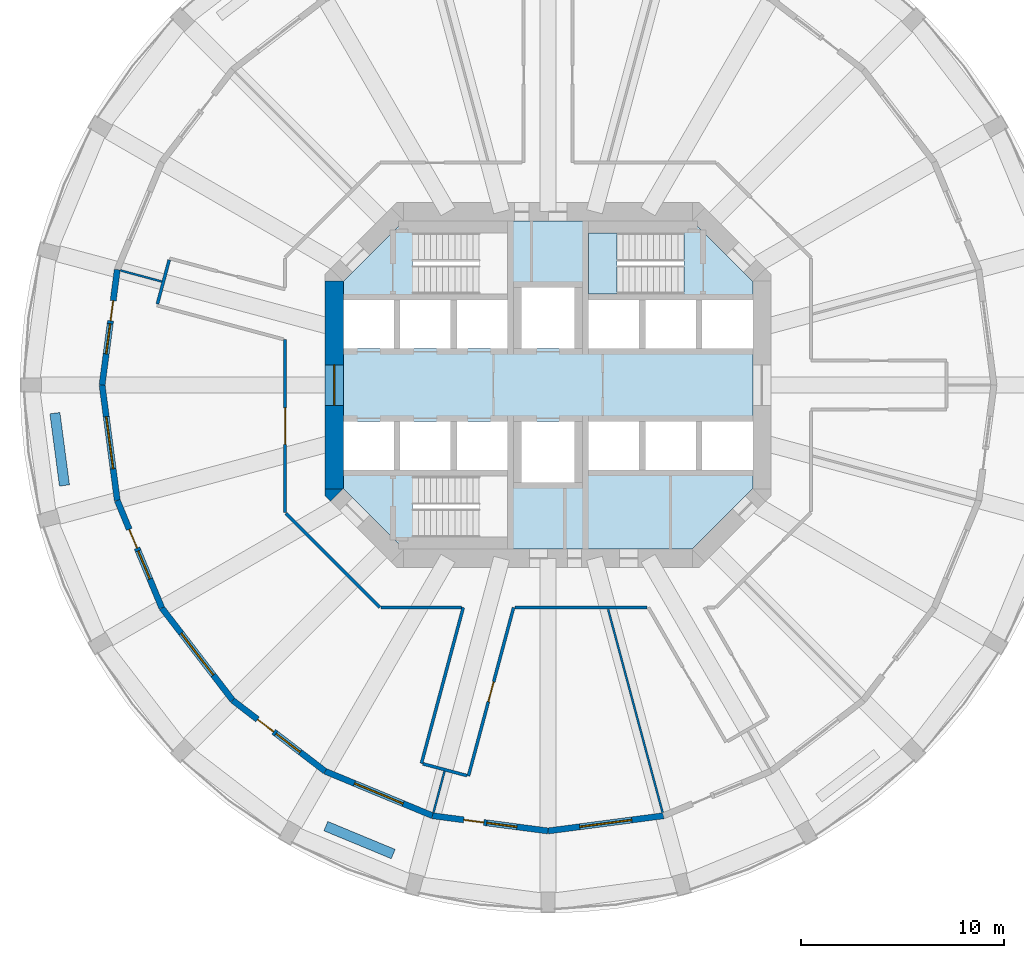
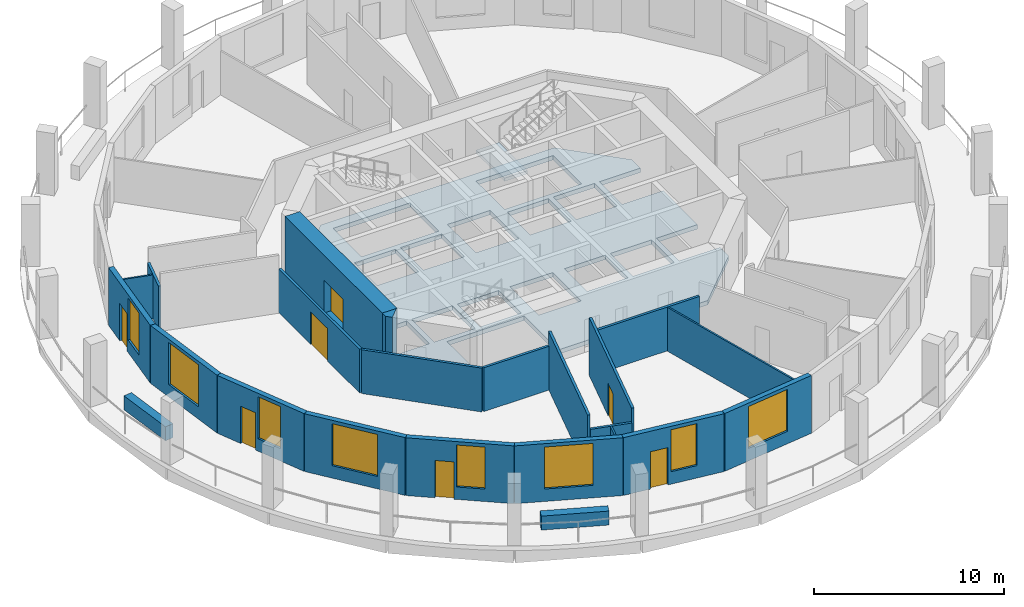
# One storey, part 2 of 8: 23 walls, 8 windows, 7 doors, 2 slabs, 15 openings, 1 element without a shape of its own.
"""IFC4 building model written with IfcOpenShell, lengths in metres."""

from ifc_helpers import new_model, si_unit, direction, frame, frame_2d, origin, place, context, subcontext, project, spatial, polyline, rectangle, outline, extrude, material, layer, layer_set, type_object, element, fill, aggregate, save


model = new_model("IFC4")

# Units and contexts
model_context = context("Model", 3, precision=1e-05, world=origin(), true_north=direction((0.0, 1.0)))
body_context = subcontext(model_context, "Body", "Model", "MODEL_VIEW")
ifc_project = project(units=[si_unit("LENGTHUNIT", "METRE"), si_unit("AREAUNIT", "SQUARE_METRE"), si_unit("VOLUMEUNIT", "CUBIC_METRE"), si_unit("PLANEANGLEUNIT", "RADIAN"), si_unit("MASSUNIT", "GRAM", prefix="KILO")], contexts=[model_context])

# Site, building, storey
site_placement = place(None, origin())
site = spatial("IfcSite", under=ifc_project, at=site_placement, CompositionType="ELEMENT")
building_placement = place(site_placement, origin())
building = spatial("IfcBuilding", under=site, at=building_placement, Name="Torre Triforio", CompositionType="ELEMENT")
storey_placement = place(building_placement, frame((0.0, 0.0, 94.60009765625)))
storey = spatial("IfcBuildingStorey", under=building, at=storey_placement, Name="L20", CompositionType="ELEMENT", Elevation=94.60009765625)

# Slab
ifc_material_1 = material(Name="Concrete C60", Category="concrete")
ifc_layer_1 = layer(ifc_material_1, 0.280029296875)
ifc_layer_set_1 = layer_set([ifc_layer_1], Name="Concrete C60")
slab_type_1 = type_object("IfcSlabType", Name="Core floor slab 280 mm C60 REI 120", PredefinedType="FLOOR", material=ifc_layer_set_1)
slab_1_placement = place(storey_placement, frame((0.0, 0.0, -0.280029296875)))
element("IfcSlab", 1, at=slab_1_placement, inside=storey, type_object=slab_type_1, Name="Core floor slab", PredefinedType="FLOOR", context=body_context, shape_type="SweptSolid", body=[
    extrude(outline(polyline([(10.10009765625, -5.10009765625), (7.10009765625, -8.10009765625), (-7.10009765625, -8.10009765625), (-10.10009765625, -5.10009765625), (-10.10009765625, -4.199951171875), (-7.60009765625, -4.199951171875), (-7.60009765625, -1.800048828125), (-10.10009765625, -1.800048828125), (-10.10009765625, 1.800048828125), (-7.60009765625, 1.800048828125), (-7.60009765625, 4.199951171875), (-10.10009765625, 4.199951171875), (-10.10009765625, 5.10009765625), (-7.10009765625, 8.10009765625), (7.10009765625, 8.10009765625), (10.10009765625, 5.10009765625), (10.10009765625, 4.199951171875), (7.60009765625, 4.199951171875), (7.60009765625, 1.800048828125), (10.10009765625, 1.800048828125), (10.10009765625, -1.800048828125), (7.60009765625, -1.800048828125), (7.60009765625, -4.199951171875), (10.10009765625, -4.199951171875), (10.10009765625, -5.10009765625)]), holes=[polyline([(-2.0, -4.5), (-6.696044921875, -4.5), (-6.696044921875, -7.5), (-2.0, -7.5), (-2.0, -4.5)]), polyline([(-4.800048828125, -1.800048828125), (-7.300048828125, -1.800048828125), (-7.300048828125, -4.199951171875), (-4.800048828125, -4.199951171875), (-4.800048828125, -1.800048828125)]), polyline([(-2.0, -1.800048828125), (-4.5, -1.800048828125), (-4.5, -4.199951171875), (-2.0, -4.199951171875), (-2.0, -1.800048828125)]), polyline([(-4.800048828125, 4.199951171875), (-7.300048828125, 4.199951171875), (-7.300048828125, 1.800048828125), (-4.800048828125, 1.800048828125), (-4.800048828125, 4.199951171875)]), polyline([(-2.0, 4.199951171875), (-4.5, 4.199951171875), (-4.5, 1.800048828125), (-2.0, 1.800048828125), (-2.0, 4.199951171875)]), polyline([(1.300048828125, 4.800048828125), (-1.300048828125, 4.800048828125), (-1.300048828125, 1.800048828125), (1.300048828125, 1.800048828125), (1.300048828125, 4.800048828125)]), polyline([(-2.0, 7.5), (-6.696044921875, 7.5), (-6.696044921875, 4.5), (-2.0, 4.5), (-2.0, 7.5)]), polyline([(1.300048828125, -1.800048828125), (-1.300048828125, -1.800048828125), (-1.300048828125, -4.800048828125), (1.300048828125, -4.800048828125), (1.300048828125, -1.800048828125)]), polyline([(4.5, -1.800048828125), (2.0, -1.800048828125), (2.0, -4.199951171875), (4.5, -4.199951171875), (4.5, -1.800048828125)]), polyline([(7.300048828125, -1.800048828125), (4.800048828125, -1.800048828125), (4.800048828125, -4.199951171875), (7.300048828125, -4.199951171875), (7.300048828125, -1.800048828125)]), polyline([(4.5, 4.199951171875), (2.0, 4.199951171875), (2.0, 1.800048828125), (4.5, 1.800048828125), (4.5, 4.199951171875)]), polyline([(7.300048828125, 4.199951171875), (4.800048828125, 4.199951171875), (4.800048828125, 1.800048828125), (7.300048828125, 1.800048828125), (7.300048828125, 4.199951171875)]), polyline([(6.696044921875, 4.5), (6.696044921875, 7.5), (2.0, 7.5), (2.0, 4.5), (6.696044921875, 4.5)])]), origin(), (0.0, 0.0, 1.0), 0.280029296875),
])

# Stair, slab
ifc_material_2 = material(Name="Concrete C40", Category="concrete")
stair_type = type_object("IfcStairType", Name="STAIR HALF-TURN", PredefinedType="HALF_TURN_STAIR", material=ifc_material_2)
stair_placement = place(storey_placement, origin())
stair = element("IfcStair", 2, at=stair_placement, inside=storey, type_object=stair_type, Name="Exit stair 2", PredefinedType="HALF_TURN_STAIR")
ifc_layer_2 = layer(ifc_material_2, 0.199951171875)
ifc_layer_set_2 = layer_set([ifc_layer_2], Name="Concrete C40")
slab_type_2 = type_object("IfcSlabType", Name="STAIR LANDING 200", PredefinedType="LANDING", material=ifc_layer_set_2)
slab_2_placement = place(storey_placement, frame((0.0, 0.0, 1.7998046875)))
slab_2 = element("IfcSlab", 3, at=slab_2_placement, type_object=slab_type_2, Name="ST2 landing 1", PredefinedType="LANDING", context=body_context, shape_type="SweptSolid", body=[
    extrude(outline(polyline([(3.39990234375, 4.5), (3.39990234375, 7.5), (2.0, 7.5), (2.0, 4.5), (3.39990234375, 4.5)])), origin(), (0.0, 0.0, 1.0), 0.2001953125),
])
aggregate(stair, [slab_2])

# Wall, opening, door
ifc_layer_3 = layer(ifc_material_1, 0.89990234375)
ifc_layer_set_3 = layer_set([ifc_layer_3], Name="Concrete C60")
wall_type_1 = type_object("IfcWallType", Name="Core wall 900 mm C60 EI 120", PredefinedType="SHEAR", material=ifc_layer_set_3)
wall_1_placement = place(storey_placement, frame((-10.550048828125, -5.1298828125, -0.280029296875), z_axis=(0.0, 0.0, 1.0), x_axis=(0.0, 1.0, 0.0)))
wall_1 = element("IfcWall", 4, at=wall_1_placement, inside=storey, type_object=wall_type_1, Name="Core wall", PredefinedType="SHEAR", context=body_context, shape_type="SweptSolid", body=[
    extrude(rectangle(XDim=10.259765625, YDim=0.89990234375, at=frame_2d((5.1298828125, 0.0))), origin(), (0.0, 0.0, 1.0), 4.0),
])
opening_1_placement = place(wall_1_placement, frame((4.1298828125, 0.0, 0.280029296875)))
opening_1 = element("IfcOpeningElement", 5, at=opening_1_placement, cuts=wall_1, Name="Opening W-RING", PredefinedType="OPENING", context=body_context, shape_type="SweptSolid", body=[
    extrude(rectangle(XDim=2.0, YDim=2.10009765625, at=frame_2d((1.0, 1.050048828125))), frame((0.0, 0.4599609375, 0.0), z_axis=(0.0, -1.0, 0.0), x_axis=(1.0, 0.0, 0.0)), (0.0, 0.0, 1.0), 0.919921875),
])
ifc_material_3 = material(Name="Hollow metal fire door leaf")
door_type_1 = type_object("IfcDoorType", Name="Lobby door 2000 x 2100 EI 60", OperationType="DOUBLE_DOOR_SINGLE_SWING", PredefinedType="DOOR", material=ifc_material_3)
door_1_placement = place(opening_1_placement, origin())
door_1 = element("IfcDoor", 6, at=door_1_placement, inside=storey, type_object=door_type_1, Name="Core door W-RING", OperationType="DOUBLE_DOOR_SINGLE_SWING", OverallHeight=2.10009765625, OverallWidth=2.0, PredefinedType="DOOR", context=body_context, shape_type="SweptSolid", body=[
    extrude(rectangle(XDim=2.0, YDim=2.10009765625, at=frame_2d((1.0, 1.050048828125))), frame((0.0, 0.02490234375, 0.0), z_axis=(0.0, -1.0, 0.0), x_axis=(1.0, 0.0, 0.0)), (0.0, 0.0, 1.0), 0.050048828125),
])
fill(opening_1, door_1)

# Walls
wall_2_placement = place(storey_placement, frame((0.0, 0.0, -0.280029296875)))
element("IfcWall", 7, at=wall_2_placement, inside=storey, type_object=wall_type_1, Name="Core wall", PredefinedType="SHEAR", context=body_context, shape_type="SweptSolid", body=[
    extrude(outline(polyline([(-11.0, -5.472900390625), (-11.0, -5.1298828125), (-10.1298828125, -5.1298828125), (-10.736328125, -5.736328125), (-11.0, -5.472900390625)])), origin(), (0.0, 0.0, 1.0), 4.0),
])
ifc_material_4 = material(Name="Plasterboard on metal studs")
ifc_layer_4 = layer(ifc_material_4, 0.14990234375)
ifc_layer_set_4 = layer_set([ifc_layer_4], Name="Plasterboard on metal studs")
wall_type_2 = type_object("IfcWallType", Name="Corridor and tenancy wall 150 mm EI 60", PredefinedType="PARTITIONING", material=ifc_layer_set_4)
wall_3_placement = place(storey_placement, frame((4.8857421875, -10.97509765625, 0.0), z_axis=(0.0, 0.0, 1.0), x_axis=(-1.0, 0.0, 0.0)))
element("IfcWall", 8, at=wall_3_placement, inside=storey, type_object=wall_type_2, Name="Partition 8", PredefinedType="PARTITIONING", context=body_context, shape_type="SweptSolid", body=[
    extrude(rectangle(XDim=6.51171875, YDim=0.14990234375, at=frame_2d((3.255859375, 0.0))), origin(), (0.0, 0.0, 1.0), 2.81982421875),
])

# Wall, opening, door
wall_4_placement = place(storey_placement, frame((-1.698486328125, -10.97509765625, 0.0), z_axis=(0.0, 0.0, 1.0), x_axis=(-0.258804606039, -0.965929695109, 0.0)))
wall_4 = element("IfcWall", 9, at=wall_4_placement, inside=storey, type_object=wall_type_2, Name="Partition 9", PredefinedType="PARTITIONING", context=body_context, shape_type="SweptSolid", body=[
    extrude(rectangle(XDim=8.60791015625, YDim=0.14990234375, at=frame_2d((4.303955078125, 0.0))), origin(), (0.0, 0.0, 1.0), 3.719970703125),
])
opening_2_placement = place(wall_4_placement, frame((3.803955078125, 0.0, 0.0)))
opening_2 = element("IfcOpeningElement", 10, at=opening_2_placement, cuts=wall_4, Name="Opening N6-07", PredefinedType="OPENING", context=body_context, shape_type="SweptSolid", body=[
    extrude(rectangle(XDim=1.0, YDim=2.10009765625, at=frame_2d((0.5, 1.050048828125))), frame((0.0, 0.0849609375, 0.0), z_axis=(0.0, -1.0, 0.0), x_axis=(1.0, 0.0, 0.0)), (0.0, 0.0, 1.0), 0.169921875),
])
ifc_material_5 = material(Name="Timber", Category="wood")
door_type_2 = type_object("IfcDoorType", Name="Door 1000 x 2100 single leaf EI 30", OperationType="NOTDEFINED", PredefinedType="DOOR", material=ifc_material_5)
door_2_placement = place(opening_2_placement, origin())
door_2 = element("IfcDoor", 11, at=door_2_placement, inside=storey, type_object=door_type_2, Name="Door N6-07", OperationType="SINGLE_SWING_RIGHT", OverallHeight=2.10009765625, OverallWidth=1.0, PredefinedType="DOOR", context=body_context, shape_type="SweptSolid", body=[
    extrude(rectangle(XDim=1.0, YDim=2.10009765625, at=frame_2d((0.5, 1.050048828125))), frame((0.0, 0.02490234375, 0.0), z_axis=(0.0, -1.0, 0.0), x_axis=(1.0, 0.0, 0.0)), (0.0, 0.0, 1.0), 0.050048828125),
])
fill(opening_2, door_2)

# Walls
wall_5_placement = place(storey_placement, frame((-3.998779296875, -19.2705078125, 0.0), z_axis=(0.0, 0.0, 1.0), x_axis=(-0.965906393436, 0.258891558609, 0.0)))
element("IfcWall", 12, at=wall_5_placement, inside=storey, type_object=wall_type_2, Name="Partition 10", PredefinedType="PARTITIONING", context=body_context, shape_type="SweptSolid", body=[
    extrude(rectangle(XDim=2.25, YDim=0.14990234375, at=frame_2d((1.125, 0.0))), origin(), (0.0, 0.0, 1.0), 2.81982421875),
])
wall_6_placement = place(storey_placement, frame((-6.24462890625, -18.668701171875, 0.0), z_axis=(0.0, 0.0, 1.0), x_axis=(0.258822393938, 0.965924928965, 0.0)))
element("IfcWall", 13, at=wall_6_placement, inside=storey, type_object=wall_type_2, Name="Partition 11", PredefinedType="PARTITIONING", context=body_context, shape_type="SweptSolid", body=[
    extrude(rectangle(XDim=7.965087890625, YDim=0.14990234375, at=frame_2d((3.982421875, 0.0))), origin(), (0.0, 0.0, 1.0), 3.719970703125),
])
wall_7_placement = place(storey_placement, frame((-4.280517578125, -10.97509765625, 0.0), z_axis=(0.0, 0.0, 1.0), x_axis=(-1.0, 0.0, 0.0)))
element("IfcWall", 14, at=wall_7_placement, inside=storey, type_object=wall_type_2, Name="Partition 12", PredefinedType="PARTITIONING", context=body_context, shape_type="SweptSolid", body=[
    extrude(rectangle(XDim=3.957763671875, YDim=0.14990234375, at=frame_2d((1.97900390625, 0.0))), origin(), (0.0, 0.0, 1.0), 2.81982421875),
])
wall_8_placement = place(storey_placement, frame((-8.291015625, -10.97509765625, 0.0), z_axis=(0.0, 0.0, 1.0), x_axis=(-0.707088206597, 0.707125355289, 0.0)))
element("IfcWall", 15, at=wall_8_placement, inside=storey, type_object=wall_type_2, Name="Partition 13", PredefinedType="PARTITIONING", context=body_context, shape_type="SweptSolid", body=[
    extrude(rectangle(XDim=6.572021484375, YDim=0.14990234375, at=frame_2d((3.2861328125, 0.0))), origin(), (0.0, 0.0, 1.0), 2.81982421875),
])

# Wall, opening, door
wall_9_placement = place(storey_placement, frame((-12.97509765625, -6.291015625, 0.0), z_axis=(0.0, 0.0, 1.0), x_axis=(0.0, 1.0, 0.0)))
wall_9 = element("IfcWall", 16, at=wall_9_placement, inside=storey, type_object=wall_type_2, Name="Partition 14", PredefinedType="PARTITIONING", context=body_context, shape_type="SweptSolid", body=[
    extrude(rectangle(XDim=8.525390625, YDim=0.14990234375, at=frame_2d((4.2626953125, 0.0))), origin(), (0.0, 0.0, 1.0), 2.81982421875),
])
opening_3_placement = place(wall_9_placement, frame((3.362548828125, 0.0, 0.0)))
opening_3 = element("IfcOpeningElement", 17, at=opening_3_placement, cuts=wall_9, Name="Opening N6-06", PredefinedType="OPENING", context=body_context, shape_type="SweptSolid", body=[
    extrude(rectangle(XDim=1.800048828125, YDim=2.10009765625, at=frame_2d((0.89990234375, 1.050048828125))), frame((0.0, 0.0849609375, 0.0), z_axis=(0.0, -1.0, 0.0), x_axis=(1.0, 0.0, 0.0)), (0.0, 0.0, 1.0), 0.169921875),
])
door_type_3 = type_object("IfcDoorType", Name="Door 1800 x 2100 double leaf EI 30", OperationType="DOUBLE_DOOR_SINGLE_SWING", PredefinedType="DOOR", material=ifc_material_5)
door_3_placement = place(opening_3_placement, origin())
door_3 = element("IfcDoor", 18, at=door_3_placement, inside=storey, type_object=door_type_3, Name="Door N6-06", OperationType="DOUBLE_DOOR_SINGLE_SWING", OverallHeight=2.10009765625, OverallWidth=1.800048828125, PredefinedType="DOOR", context=body_context, shape_type="SweptSolid", body=[
    extrude(rectangle(XDim=1.800048828125, YDim=2.10009765625, at=frame_2d((0.89990234375, 1.050048828125))), frame((0.0, 0.02490234375, 0.0), z_axis=(0.0, -1.0, 0.0), x_axis=(1.0, 0.0, 0.0)), (0.0, 0.0, 1.0), 0.050048828125),
])
fill(opening_3, door_3)

# Walls
wall_10_placement = place(storey_placement, frame((-19.2705078125, 3.998779296875, 0.0), z_axis=(0.0, 0.0, 1.0), x_axis=(0.258891558609, 0.965906393436, 0.0)))
element("IfcWall", 19, at=wall_10_placement, inside=storey, type_object=wall_type_2, Name="Partition 16", PredefinedType="PARTITIONING", context=body_context, shape_type="SweptSolid", body=[
    extrude(rectangle(XDim=2.25, YDim=0.14990234375, at=frame_2d((1.125, 0.0))), origin(), (0.0, 0.0, 1.0), 2.81982421875),
])
ifc_layer_5 = layer(ifc_material_4, 0.10009765625)
ifc_layer_set_5 = layer_set([ifc_layer_5], Name="Plasterboard on metal studs")
wall_type_3 = type_object("IfcWallType", Name="Partition 100 mm board on metal studs", PredefinedType="PARTITIONING", material=ifc_layer_set_5)
for number, where, z_axis, x_axis, name in (
    (20, (-19.051513671875, 5.10498046875, 0.0), (0.0, 0.0, 1.0), (-0.965927422152, 0.258813089189, 0.0), "Partition 35"),
    (21, (-5.10498046875, -19.051513671875, 0.0), (0.0, 0.0, 1.0), (-0.258813089189, -0.965927422152, 0.0), "Partition 36"),
):
    element("IfcWall", number, at=place(storey_placement, frame(where, z_axis=z_axis, x_axis=x_axis)), inside=storey, type_object=wall_type_3, Name=name, PredefinedType="PARTITIONING", context=body_context, shape_type="SweptSolid", body=[
        extrude(rectangle(XDim=2.113037109375, YDim=0.10009765625, at=frame_2d((1.056640625, 0.0))), origin(), (0.0, 0.0, 1.0), 2.81982421875),
    ])
wall_11_placement = place(storey_placement, frame((2.964599609375, -11.064208984375, 0.0), z_axis=(0.0, 0.0, 1.0), x_axis=(0.258834819477, -0.96592159942, 0.0)))
element("IfcWall", 22, at=wall_11_placement, inside=storey, type_object=wall_type_3, Name="Partition 37", PredefinedType="PARTITIONING", context=body_context, shape_type="SweptSolid", body=[
    extrude(rectangle(XDim=10.382080078125, YDim=0.10009765625, at=frame_2d((5.19091796875, 0.0))), origin(), (0.0, 0.0, 1.0), 2.81982421875),
])
ifc_material_6 = material(Name="Limestone cladding", Category="masonry")
ifc_layer_6 = layer(ifc_material_6, 0.10009765625)
ifc_layer_7 = layer(ifc_material_2, 0.39990234375)
ifc_layer_set_6 = layer_set([ifc_layer_6, ifc_layer_7], Name="Limestone cladding / Concrete C40")
wall_type_4 = type_object("IfcWallType", Name="Planter wall 500", PredefinedType="PARAPET", material=ifc_layer_set_6)
for number, where, z_axis, x_axis, name in (
    (23, (-24.3271484375, -1.38720703125, 0.0), (0.0, 0.0, 1.0), (0.130551000099, -0.991441595039, 0.0), "Planter L20 bay 13"),
    (24, (-10.962158203125, -21.761474609375, 0.0), (0.0, 0.0, 1.0), (0.923875488976, -0.382693194178, 0.0), "Planter L20 bay 17"),
):
    element("IfcWall", number, at=place(storey_placement, frame(where, z_axis=z_axis, x_axis=x_axis)), inside=storey, type_object=wall_type_4, Name=name, PredefinedType="PARAPET", context=body_context, shape_type="SweptSolid", body=[
        extrude(rectangle(XDim=3.599853515625, YDim=0.5, at=frame_2d((1.7998046875, 0.0))), origin(), (0.0, 0.0, 1.0), 0.89990234375),
    ])

# Wall, openings, door, window
ifc_layer_8 = layer(ifc_material_6, 0.10009765625)
ifc_layer_9 = layer(ifc_material_2, 0.199951171875)
ifc_layer_set_7 = layer_set([ifc_layer_8, ifc_layer_9], Name="Limestone cladding / Concrete C40")
wall_type_5 = type_object("IfcWallType", Name="Stone-faced composite wall 300", PredefinedType="STANDARD", material=ifc_layer_set_7)
wall_12_placement = place(storey_placement, frame((-21.25048828125, 5.694091796875, 0.0), z_axis=(0.0, 0.0, 1.0), x_axis=(-0.130503995834, -0.991447783331, 0.0)))
wall_12 = element("IfcWall", 25, at=wall_12_placement, inside=storey, type_object=wall_type_5, Name="External wall L20 bay 12", PredefinedType="STANDARD", context=body_context, shape_type="SweptSolid", body=[
    extrude(rectangle(XDim=5.7431640625, YDim=0.300048828125, at=frame_2d((2.87158203125, 0.0))), origin(), (0.0, 0.0, 1.0), 3.719970703125),
])
opening_4_placement = place(wall_12_placement, frame((1.546630859375, 0.0, 0.0)))
opening_4 = element("IfcOpeningElement", 26, at=opening_4_placement, cuts=wall_12, Name="Opening N6-D12", PredefinedType="OPENING", context=body_context, shape_type="SweptSolid", body=[
    extrude(rectangle(XDim=1.0, YDim=2.39990234375, at=frame_2d((0.5, 1.199951171875))), frame((0.0, 0.159912109375, 0.0), z_axis=(0.0, -1.0, 0.0), x_axis=(1.0, 0.0, 0.0)), (0.0, 0.0, 1.0), 0.320068359375),
])
opening_5_placement = place(wall_12_placement, frame((2.696533203125, 0.0, 0.800048828125)))
opening_5 = element("IfcOpeningElement", 27, at=opening_5_placement, cuts=wall_12, Name="Opening N6-W12A", PredefinedType="OPENING", context=body_context, shape_type="SweptSolid", body=[
    extrude(rectangle(XDim=1.5, YDim=2.699951171875, at=frame_2d((0.75, 1.35009765625))), frame((0.0, 0.159912109375, 0.0), z_axis=(0.0, -1.0, 0.0), x_axis=(1.0, 0.0, 0.0)), (0.0, 0.0, 1.0), 0.320068359375),
])
ifc_material_7 = material(Name="Aluminium frame with clear double glazing", Category="aluminium")
door_type_4 = type_object("IfcDoorType", Name="Loggia door 1000 x 2400", OperationType="NOTDEFINED", PredefinedType="DOOR", material=ifc_material_7)
door_4_placement = place(opening_4_placement, origin())
door_4 = element("IfcDoor", 28, at=door_4_placement, inside=storey, type_object=door_type_4, Name="Loggia door L20 bay 12", OperationType="SINGLE_SWING_LEFT", OverallHeight=2.39990234375, OverallWidth=1.0, PredefinedType="DOOR", context=body_context, shape_type="SweptSolid", body=[
    extrude(rectangle(XDim=1.0, YDim=2.39990234375, at=frame_2d((0.5, 1.199951171875))), frame((0.0, 0.02490234375, 0.0), z_axis=(0.0, -1.0, 0.0), x_axis=(1.0, 0.0, 0.0)), (0.0, 0.0, 1.0), 0.050048828125),
])
fill(opening_4, door_4)
window_type_1 = type_object("IfcWindowType", Name="Side window 1500 x 2700", PartitioningType="SINGLE_PANEL", PredefinedType="WINDOW", material=ifc_material_7)
window_1_placement = place(opening_5_placement, origin())
window_1 = element("IfcWindow", 29, at=window_1_placement, inside=storey, type_object=window_type_1, Name="Side window EWN12 L20 bay 12", OverallHeight=2.699951171875, OverallWidth=1.5, PartitioningType="SINGLE_PANEL", PredefinedType="WINDOW", context=body_context, shape_type="SweptSolid", body=[
    extrude(rectangle(XDim=1.5, YDim=2.699951171875, at=frame_2d((0.75, 1.35009765625))), frame((0.0, 0.030029296875, 0.0), z_axis=(0.0, -1.0, 0.0), x_axis=(1.0, 0.0, 0.0)), (0.0, 0.0, 1.0), 0.06005859375),
])
fill(opening_5, window_1)

# Wall, opening, window
wall_13_placement = place(storey_placement, frame((-22.0, 0.0, 0.0), z_axis=(0.0, 0.0, 1.0), x_axis=(0.130503995834, -0.991447783331, 0.0)))
wall_13 = element("IfcWall", 30, at=wall_13_placement, inside=storey, type_object=wall_type_5, Name="External wall L20 bay 13", PredefinedType="STANDARD", context=body_context, shape_type="SweptSolid", body=[
    extrude(rectangle(XDim=5.7431640625, YDim=0.300048828125, at=frame_2d((2.87158203125, 0.0))), origin(), (0.0, 0.0, 1.0), 3.719970703125),
])
opening_6_placement = place(wall_13_placement, frame((1.571533203125, 0.0, 0.800048828125)))
opening_6 = element("IfcOpeningElement", 31, at=opening_6_placement, cuts=wall_13, Name="Opening N6-W13", PredefinedType="OPENING", context=body_context, shape_type="SweptSolid", body=[
    extrude(rectangle(XDim=2.60009765625, YDim=2.699951171875, at=frame_2d((1.300048828125, 1.35009765625))), frame((0.0, 0.159912109375, 0.0), z_axis=(0.0, -1.0, 0.0), x_axis=(1.0, 0.0, 0.0)), (0.0, 0.0, 1.0), 0.320068359375),
])
window_type_2 = type_object("IfcWindowType", Name="Punched window 2600 x 2700", PartitioningType="DOUBLE_PANEL_VERTICAL", PredefinedType="WINDOW", material=ifc_material_7)
window_2_placement = place(opening_6_placement, origin())
window_2 = element("IfcWindow", 32, at=window_2_placement, inside=storey, type_object=window_type_2, Name="Window EWN2 L20 bay 13", OverallHeight=2.699951171875, OverallWidth=2.60009765625, PartitioningType="SINGLE_PANEL", PredefinedType="WINDOW", context=body_context, shape_type="SweptSolid", body=[
    extrude(rectangle(XDim=2.60009765625, YDim=2.699951171875, at=frame_2d((1.300048828125, 1.35009765625))), frame((0.0, 0.030029296875, 0.0), z_axis=(0.0, -1.0, 0.0), x_axis=(1.0, 0.0, 0.0)), (0.0, 0.0, 1.0), 0.06005859375),
])
fill(opening_6, window_2)

# Wall, openings, door, window
wall_14_placement = place(storey_placement, frame((-21.25048828125, -5.694091796875, 0.0), z_axis=(0.0, 0.0, 1.0), x_axis=(0.382715966503, -0.923866055759, 0.0)))
wall_14 = element("IfcWall", 33, at=wall_14_placement, inside=storey, type_object=wall_type_5, Name="External wall L20 bay 14", PredefinedType="STANDARD", context=body_context, shape_type="SweptSolid", body=[
    extrude(rectangle(XDim=5.7431640625, YDim=0.300048828125, at=frame_2d((2.87158203125, 0.0))), origin(), (0.0, 0.0, 1.0), 3.719970703125),
])
opening_7_placement = place(wall_14_placement, frame((1.546630859375, 0.0, 0.0)))
opening_7 = element("IfcOpeningElement", 34, at=opening_7_placement, cuts=wall_14, Name="Opening N6-D14", PredefinedType="OPENING", context=body_context, shape_type="SweptSolid", body=[
    extrude(rectangle(XDim=1.0, YDim=2.39990234375, at=frame_2d((0.5, 1.199951171875))), frame((0.0, 0.159912109375, 0.0), z_axis=(0.0, -1.0, 0.0), x_axis=(1.0, 0.0, 0.0)), (0.0, 0.0, 1.0), 0.320068359375),
])
opening_8_placement = place(wall_14_placement, frame((2.696533203125, 0.0, 0.800048828125)))
opening_8 = element("IfcOpeningElement", 35, at=opening_8_placement, cuts=wall_14, Name="Opening N6-W14A", PredefinedType="OPENING", context=body_context, shape_type="SweptSolid", body=[
    extrude(rectangle(XDim=1.5, YDim=2.699951171875, at=frame_2d((0.75, 1.35009765625))), frame((0.0, 0.159912109375, 0.0), z_axis=(0.0, -1.0, 0.0), x_axis=(1.0, 0.0, 0.0)), (0.0, 0.0, 1.0), 0.320068359375),
])
door_5_placement = place(opening_7_placement, origin())
door_5 = element("IfcDoor", 36, at=door_5_placement, inside=storey, type_object=door_type_4, Name="Loggia door L20 bay 14", OperationType="SINGLE_SWING_LEFT", OverallHeight=2.39990234375, OverallWidth=1.0, PredefinedType="DOOR", context=body_context, shape_type="SweptSolid", body=[
    extrude(rectangle(XDim=1.0, YDim=2.39990234375, at=frame_2d((0.5, 1.199951171875))), frame((0.0, 0.02490234375, 0.0), z_axis=(0.0, -1.0, 0.0), x_axis=(1.0, 0.0, 0.0)), (0.0, 0.0, 1.0), 0.050048828125),
])
fill(opening_7, door_5)
window_3_placement = place(opening_8_placement, origin())
window_3 = element("IfcWindow", 37, at=window_3_placement, inside=storey, type_object=window_type_1, Name="Side window EWN12 L20 bay 14", OverallHeight=2.699951171875, OverallWidth=1.5, PartitioningType="SINGLE_PANEL", PredefinedType="WINDOW", context=body_context, shape_type="SweptSolid", body=[
    extrude(rectangle(XDim=1.5, YDim=2.699951171875, at=frame_2d((0.75, 1.35009765625))), frame((0.0, 0.030029296875, 0.0), z_axis=(0.0, -1.0, 0.0), x_axis=(1.0, 0.0, 0.0)), (0.0, 0.0, 1.0), 0.06005859375),
])
fill(opening_8, window_3)

# Wall, opening, window
wall_15_placement = place(storey_placement, frame((-19.052490234375, -11.0, 0.0), z_axis=(0.0, 0.0, 1.0), x_axis=(0.608744744291, -0.793366142647, 0.0)))
wall_15 = element("IfcWall", 38, at=wall_15_placement, inside=storey, type_object=wall_type_5, Name="External wall L20 bay 15", PredefinedType="STANDARD", context=body_context, shape_type="SweptSolid", body=[
    extrude(rectangle(XDim=5.7431640625, YDim=0.300048828125, at=frame_2d((2.87158203125, 0.0))), origin(), (0.0, 0.0, 1.0), 3.719970703125),
])
opening_9_placement = place(wall_15_placement, frame((1.571533203125, 0.0, 0.800048828125)))
opening_9 = element("IfcOpeningElement", 39, at=opening_9_placement, cuts=wall_15, Name="Opening N6-W15", PredefinedType="OPENING", context=body_context, shape_type="SweptSolid", body=[
    extrude(rectangle(XDim=2.60009765625, YDim=2.699951171875, at=frame_2d((1.300048828125, 1.35009765625))), frame((0.0, 0.159912109375, 0.0), z_axis=(0.0, -1.0, 0.0), x_axis=(1.0, 0.0, 0.0)), (0.0, 0.0, 1.0), 0.320068359375),
])
window_4_placement = place(opening_9_placement, origin())
window_4 = element("IfcWindow", 40, at=window_4_placement, inside=storey, type_object=window_type_2, Name="Window EWN2 L20 bay 15", OverallHeight=2.699951171875, OverallWidth=2.60009765625, PartitioningType="SINGLE_PANEL", PredefinedType="WINDOW", context=body_context, shape_type="SweptSolid", body=[
    extrude(rectangle(XDim=2.60009765625, YDim=2.699951171875, at=frame_2d((1.300048828125, 1.35009765625))), frame((0.0, 0.030029296875, 0.0), z_axis=(0.0, -1.0, 0.0), x_axis=(1.0, 0.0, 0.0)), (0.0, 0.0, 1.0), 0.06005859375),
])
fill(opening_9, window_4)

# Wall, openings, door, window
wall_16_placement = place(storey_placement, frame((-15.556396484375, -15.556396484375, 0.0), z_axis=(0.0, 0.0, 1.0), x_axis=(0.793366142647, -0.608744744291, 0.0)))
wall_16 = element("IfcWall", 41, at=wall_16_placement, inside=storey, type_object=wall_type_5, Name="External wall L20 bay 16", PredefinedType="STANDARD", context=body_context, shape_type="SweptSolid", body=[
    extrude(rectangle(XDim=5.7431640625, YDim=0.300048828125, at=frame_2d((2.87158203125, 0.0))), origin(), (0.0, 0.0, 1.0), 3.719970703125),
])
opening_10_placement = place(wall_16_placement, frame((1.546630859375, 0.0, 0.0)))
opening_10 = element("IfcOpeningElement", 42, at=opening_10_placement, cuts=wall_16, Name="Opening N6-D16", PredefinedType="OPENING", context=body_context, shape_type="SweptSolid", body=[
    extrude(rectangle(XDim=1.0, YDim=2.39990234375, at=frame_2d((0.5, 1.199951171875))), frame((0.0, 0.159912109375, 0.0), z_axis=(0.0, -1.0, 0.0), x_axis=(1.0, 0.0, 0.0)), (0.0, 0.0, 1.0), 0.320068359375),
])
opening_11_placement = place(wall_16_placement, frame((2.696533203125, 0.0, 0.800048828125)))
opening_11 = element("IfcOpeningElement", 43, at=opening_11_placement, cuts=wall_16, Name="Opening N6-W16A", PredefinedType="OPENING", context=body_context, shape_type="SweptSolid", body=[
    extrude(rectangle(XDim=1.5, YDim=2.699951171875, at=frame_2d((0.75, 1.35009765625))), frame((0.0, 0.159912109375, 0.0), z_axis=(0.0, -1.0, 0.0), x_axis=(1.0, 0.0, 0.0)), (0.0, 0.0, 1.0), 0.320068359375),
])
door_6_placement = place(opening_10_placement, origin())
door_6 = element("IfcDoor", 44, at=door_6_placement, inside=storey, type_object=door_type_4, Name="Loggia door L20 bay 16", OperationType="SINGLE_SWING_LEFT", OverallHeight=2.39990234375, OverallWidth=1.0, PredefinedType="DOOR", context=body_context, shape_type="SweptSolid", body=[
    extrude(rectangle(XDim=1.0, YDim=2.39990234375, at=frame_2d((0.5, 1.199951171875))), frame((0.0, 0.02490234375, 0.0), z_axis=(0.0, -1.0, 0.0), x_axis=(1.0, 0.0, 0.0)), (0.0, 0.0, 1.0), 0.050048828125),
])
fill(opening_10, door_6)
window_5_placement = place(opening_11_placement, origin())
window_5 = element("IfcWindow", 45, at=window_5_placement, inside=storey, type_object=window_type_1, Name="Side window EWN12 L20 bay 16", OverallHeight=2.699951171875, OverallWidth=1.5, PartitioningType="SINGLE_PANEL", PredefinedType="WINDOW", context=body_context, shape_type="SweptSolid", body=[
    extrude(rectangle(XDim=1.5, YDim=2.699951171875, at=frame_2d((0.75, 1.35009765625))), frame((0.0, 0.030029296875, 0.0), z_axis=(0.0, -1.0, 0.0), x_axis=(1.0, 0.0, 0.0)), (0.0, 0.0, 1.0), 0.06005859375),
])
fill(opening_11, window_5)

# Wall, opening, window
wall_17_placement = place(storey_placement, frame((-11.0, -19.052490234375, 0.0), z_axis=(0.0, 0.0, 1.0), x_axis=(0.923866055759, -0.382715966503, 0.0)))
wall_17 = element("IfcWall", 46, at=wall_17_placement, inside=storey, type_object=wall_type_5, Name="External wall L20 bay 17", PredefinedType="STANDARD", context=body_context, shape_type="SweptSolid", body=[
    extrude(rectangle(XDim=5.7431640625, YDim=0.300048828125, at=frame_2d((2.87158203125, 0.0))), origin(), (0.0, 0.0, 1.0), 3.719970703125),
])
opening_12_placement = place(wall_17_placement, frame((1.571533203125, 0.0, 0.800048828125)))
opening_12 = element("IfcOpeningElement", 47, at=opening_12_placement, cuts=wall_17, Name="Opening N6-W17", PredefinedType="OPENING", context=body_context, shape_type="SweptSolid", body=[
    extrude(rectangle(XDim=2.60009765625, YDim=2.699951171875, at=frame_2d((1.300048828125, 1.35009765625))), frame((0.0, 0.159912109375, 0.0), z_axis=(0.0, -1.0, 0.0), x_axis=(1.0, 0.0, 0.0)), (0.0, 0.0, 1.0), 0.320068359375),
])
window_6_placement = place(opening_12_placement, origin())
window_6 = element("IfcWindow", 48, at=window_6_placement, inside=storey, type_object=window_type_2, Name="Window EWN2 L20 bay 17", OverallHeight=2.699951171875, OverallWidth=2.60009765625, PartitioningType="SINGLE_PANEL", PredefinedType="WINDOW", context=body_context, shape_type="SweptSolid", body=[
    extrude(rectangle(XDim=2.60009765625, YDim=2.699951171875, at=frame_2d((1.300048828125, 1.35009765625))), frame((0.0, 0.030029296875, 0.0), z_axis=(0.0, -1.0, 0.0), x_axis=(1.0, 0.0, 0.0)), (0.0, 0.0, 1.0), 0.06005859375),
])
fill(opening_12, window_6)

# Wall, openings, door, window
wall_18_placement = place(storey_placement, frame((-5.694091796875, -21.25048828125, 0.0), z_axis=(0.0, 0.0, 1.0), x_axis=(0.991447783331, -0.130503995834, 0.0)))
wall_18 = element("IfcWall", 49, at=wall_18_placement, inside=storey, type_object=wall_type_5, Name="External wall L20 bay 18", PredefinedType="STANDARD", context=body_context, shape_type="SweptSolid", body=[
    extrude(rectangle(XDim=5.7431640625, YDim=0.300048828125, at=frame_2d((2.87158203125, 0.0))), origin(), (0.0, 0.0, 1.0), 3.719970703125),
])
opening_13_placement = place(wall_18_placement, frame((1.546630859375, 0.0, 0.0)))
opening_13 = element("IfcOpeningElement", 50, at=opening_13_placement, cuts=wall_18, Name="Opening N6-D18", PredefinedType="OPENING", context=body_context, shape_type="SweptSolid", body=[
    extrude(rectangle(XDim=1.0, YDim=2.39990234375, at=frame_2d((0.5, 1.199951171875))), frame((0.0, 0.159912109375, 0.0), z_axis=(0.0, -1.0, 0.0), x_axis=(1.0, 0.0, 0.0)), (0.0, 0.0, 1.0), 0.320068359375),
])
opening_14_placement = place(wall_18_placement, frame((2.696533203125, 0.0, 0.800048828125)))
opening_14 = element("IfcOpeningElement", 51, at=opening_14_placement, cuts=wall_18, Name="Opening N6-W18A", PredefinedType="OPENING", context=body_context, shape_type="SweptSolid", body=[
    extrude(rectangle(XDim=1.5, YDim=2.699951171875, at=frame_2d((0.75, 1.35009765625))), frame((0.0, 0.159912109375, 0.0), z_axis=(0.0, -1.0, 0.0), x_axis=(1.0, 0.0, 0.0)), (0.0, 0.0, 1.0), 0.320068359375),
])
door_7_placement = place(opening_13_placement, origin())
door_7 = element("IfcDoor", 52, at=door_7_placement, inside=storey, type_object=door_type_4, Name="Loggia door L20 bay 18", OperationType="SINGLE_SWING_LEFT", OverallHeight=2.39990234375, OverallWidth=1.0, PredefinedType="DOOR", context=body_context, shape_type="SweptSolid", body=[
    extrude(rectangle(XDim=1.0, YDim=2.39990234375, at=frame_2d((0.5, 1.199951171875))), frame((0.0, 0.02490234375, 0.0), z_axis=(0.0, -1.0, 0.0), x_axis=(1.0, 0.0, 0.0)), (0.0, 0.0, 1.0), 0.050048828125),
])
fill(opening_13, door_7)
window_7_placement = place(opening_14_placement, origin())
window_7 = element("IfcWindow", 53, at=window_7_placement, inside=storey, type_object=window_type_1, Name="Side window EWN12 L20 bay 18", OverallHeight=2.699951171875, OverallWidth=1.5, PartitioningType="SINGLE_PANEL", PredefinedType="WINDOW", context=body_context, shape_type="SweptSolid", body=[
    extrude(rectangle(XDim=1.5, YDim=2.699951171875, at=frame_2d((0.75, 1.35009765625))), frame((0.0, 0.030029296875, 0.0), z_axis=(0.0, -1.0, 0.0), x_axis=(1.0, 0.0, 0.0)), (0.0, 0.0, 1.0), 0.06005859375),
])
fill(opening_14, window_7)

# Wall, opening, window
wall_19_placement = place(storey_placement, frame((0.0, -22.0, 0.0), z_axis=(0.0, 0.0, 1.0), x_axis=(0.991447783331, 0.130503995834, 0.0)))
wall_19 = element("IfcWall", 54, at=wall_19_placement, inside=storey, type_object=wall_type_5, Name="External wall L20 bay 19", PredefinedType="STANDARD", context=body_context, shape_type="SweptSolid", body=[
    extrude(rectangle(XDim=5.7431640625, YDim=0.300048828125, at=frame_2d((2.87158203125, 0.0))), origin(), (0.0, 0.0, 1.0), 3.719970703125),
])
opening_15_placement = place(wall_19_placement, frame((1.571533203125, 0.0, 0.800048828125)))
opening_15 = element("IfcOpeningElement", 55, at=opening_15_placement, cuts=wall_19, Name="Opening N6-W19", PredefinedType="OPENING", context=body_context, shape_type="SweptSolid", body=[
    extrude(rectangle(XDim=2.60009765625, YDim=2.699951171875, at=frame_2d((1.300048828125, 1.35009765625))), frame((0.0, 0.159912109375, 0.0), z_axis=(0.0, -1.0, 0.0), x_axis=(1.0, 0.0, 0.0)), (0.0, 0.0, 1.0), 0.320068359375),
])
window_8_placement = place(opening_15_placement, origin())
window_8 = element("IfcWindow", 56, at=window_8_placement, inside=storey, type_object=window_type_2, Name="Window EWN2 L20 bay 19", OverallHeight=2.699951171875, OverallWidth=2.60009765625, PartitioningType="SINGLE_PANEL", PredefinedType="WINDOW", context=body_context, shape_type="SweptSolid", body=[
    extrude(rectangle(XDim=2.60009765625, YDim=2.699951171875, at=frame_2d((1.300048828125, 1.35009765625))), frame((0.0, 0.030029296875, 0.0), z_axis=(0.0, -1.0, 0.0), x_axis=(1.0, 0.0, 0.0)), (0.0, 0.0, 1.0), 0.06005859375),
])
fill(opening_15, window_8)

save(model, "model.ifc")
